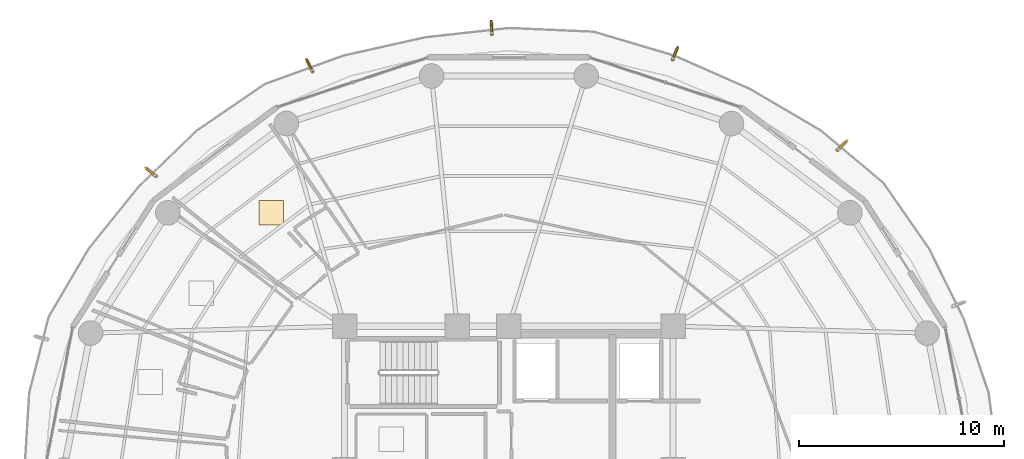
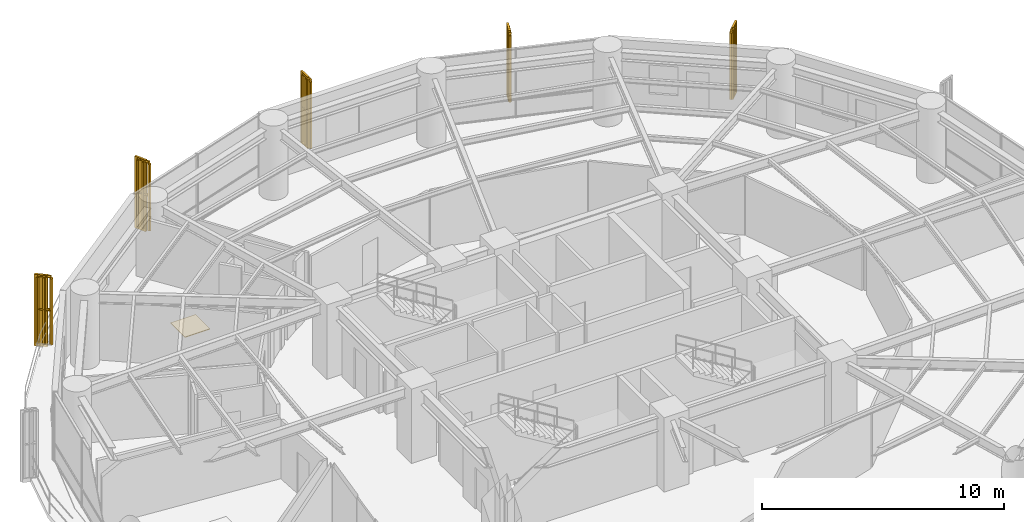
# One storey, part 28 of 28: 5 railings, 5 shading devices, 1 covering.
"""IFC4 building model written with IfcOpenShell, lengths in metres."""

from ifc_helpers import new_model, si_unit, direction, frame, origin, origin_2d, place, context, subcontext, project, spatial, polyline, rectangle, outline, extrude, source, transform, mapped, material, layer, layer_set, type_object, element, save


model = new_model("IFC4")

# Units and contexts
model_context = context("Model", 3, precision=1e-05, world=origin(), true_north=direction((0.0, 1.0)))
body_context = subcontext(model_context, "Body", "Model", "MODEL_VIEW")
ifc_project = project(units=[si_unit("LENGTHUNIT", "METRE"), si_unit("AREAUNIT", "SQUARE_METRE"), si_unit("VOLUMEUNIT", "CUBIC_METRE"), si_unit("PLANEANGLEUNIT", "RADIAN"), si_unit("MASSUNIT", "GRAM", prefix="KILO")], contexts=[model_context])

# Site, building, storey
site_placement = place(None, origin())
site = spatial("IfcSite", under=ifc_project, at=site_placement, CompositionType="ELEMENT")
building_placement = place(site_placement, origin())
building = spatial("IfcBuilding", under=site, at=building_placement, Name="Kelanora Arch Commons", CompositionType="ELEMENT")
storey_placement = place(building_placement, frame((0.0, 0.0, 161.85009765625)))
storey = spatial("IfcBuildingStorey", under=building, at=storey_placement, Name="L41", CompositionType="ELEMENT", Elevation=161.85009765625)

# Railings
ifc_material_1 = material(Name="Anodised bronze vertical shading fin rib assembly")
railing_type = type_object("IfcRailingType", Name="RAIL-FIN-BRZ", PredefinedType="BALUSTRADE", material=ifc_material_1)
railing_1_placement = place(storey_placement, frame((89.99560546875, 73.573974609375, -0.02001953125)))
element("IfcRailing", 1, at=railing_1_placement, inside=storey, type_object=railing_type, Name="Sweeping Bronze Vertical Fin Blade L41-02", PredefinedType="BALUSTRADE", context=body_context, shape_type="SweptSolid", body=[
    extrude(outline(polyline([(0.06982421875, 0.0), (0.034912109375, 0.060546875), (-0.034912109375, 0.060546875), (-0.06982421875, 0.0), (-0.034912109375, -0.060546875), (0.034912109375, -0.060546875), (0.06982421875, 0.0)])), frame((0.0, 0.0, 3.419921875), z_axis=(0.716179429515, 0.697916201804, 0.0), x_axis=(-0.697916201804, 0.716179429515, 0.0)), (0.0, 0.0, 1.0), 0.5615234375),
    extrude(outline(polyline([(0.06982421875, 0.0), (0.034912109375, 0.060546875), (-0.034912109375, 0.060546875), (-0.06982421875, 0.0), (-0.034912109375, -0.060546875), (0.034912109375, -0.060546875), (0.06982421875, 0.0)])), frame((0.0, 0.0, 1.7451171875), z_axis=(0.716179429515, 0.697916201804, 0.0), x_axis=(-0.697916201804, 0.716179429515, 0.0)), (0.0, 0.0, 1.0), 0.5615234375),
    extrude(outline(polyline([(0.080078125, 0.0), (0.0400390625, 0.0693359375), (-0.0400390625, 0.0693359375), (-0.080078125, 0.0), (-0.0400390625, -0.0693359375), (0.0400390625, -0.0693359375), (0.080078125, 0.0)])), origin(), (0.0, 0.0, 1.0), 3.35009765625),
    extrude(outline(polyline([(0.080078125, 0.0), (0.0400390625, 0.0693359375), (-0.0400390625, 0.0693359375), (-0.080078125, 0.0), (-0.0400390625, -0.0693359375), (0.0400390625, -0.0693359375), (0.080078125, 0.0)])), frame((0.201171875, 0.19580078125, 0.0)), (0.0, 0.0, 1.0), 3.35009765625),
    extrude(outline(polyline([(0.080078125, 0.0), (0.0400390625, 0.0693359375), (-0.0400390625, 0.0693359375), (-0.080078125, 0.0), (-0.0400390625, -0.0693359375), (0.0400390625, -0.0693359375), (0.080078125, 0.0)])), frame((0.402099609375, 0.391845703125, 0.0)), (0.0, 0.0, 1.0), 3.35009765625),
])
railing_2_placement = place(storey_placement, frame((81.974853515625, 77.97412109375, -0.02001953125)))
element("IfcRailing", 2, at=railing_2_placement, inside=storey, type_object=railing_type, Name="Sweeping Bronze Vertical Fin Blade L41-03", PredefinedType="BALUSTRADE", context=body_context, shape_type="SweptSolid", body=[
    extrude(outline(polyline([(0.06982421875, 0.0), (0.034912109375, 0.060546875), (-0.034912109375, 0.060546875), (-0.06982421875, 0.0), (-0.034912109375, -0.060546875), (0.034912109375, -0.060546875), (0.06982421875, 0.0)])), frame((0.0, 0.0, 3.419921875), z_axis=(0.37086588462, 0.928686435577, 0.0), x_axis=(-0.928686435577, 0.37086588462, 0.0)), (0.0, 0.0, 1.0), 0.5615234375),
    extrude(outline(polyline([(0.06982421875, 0.0), (0.034912109375, 0.060546875), (-0.034912109375, 0.060546875), (-0.06982421875, 0.0), (-0.034912109375, -0.060546875), (0.034912109375, -0.060546875), (0.06982421875, 0.0)])), frame((0.0, 0.0, 1.7451171875), z_axis=(0.37086588462, 0.928686435577, 0.0), x_axis=(-0.928686435577, 0.37086588462, 0.0)), (0.0, 0.0, 1.0), 0.5615234375),
    extrude(outline(polyline([(0.080078125, 0.0), (0.0400390625, 0.0693359375), (-0.0400390625, 0.0693359375), (-0.080078125, 0.0), (-0.0400390625, -0.0693359375), (0.0400390625, -0.0693359375), (0.080078125, 0.0)])), origin(), (0.0, 0.0, 1.0), 3.35009765625),
    extrude(outline(polyline([(0.080078125, 0.0), (0.0400390625, 0.0693359375), (-0.0400390625, 0.0693359375), (-0.080078125, 0.0), (-0.0400390625, -0.0693359375), (0.0400390625, -0.0693359375), (0.080078125, 0.0)])), frame((0.10400390625, 0.2607421875, 0.0)), (0.0, 0.0, 1.0), 3.35009765625),
    extrude(outline(polyline([(0.080078125, 0.0), (0.0400390625, 0.0693359375), (-0.0400390625, 0.0693359375), (-0.080078125, 0.0), (-0.0400390625, -0.0693359375), (0.0400390625, -0.0693359375), (0.080078125, 0.0)])), frame((0.208251953125, 0.521484375, 0.0)), (0.0, 0.0, 1.0), 3.35009765625),
])
railing_3_placement = place(storey_placement, frame((73.172119140625, 79.20947265625, -0.02001953125)))
element("IfcRailing", 3, at=railing_3_placement, inside=storey, type_object=railing_type, Name="Sweeping Bronze Vertical Fin Blade L41-04", PredefinedType="BALUSTRADE", context=body_context, shape_type="SweptSolid", body=[
    extrude(outline(polyline([(0.06982421875, 0.0), (0.034912109375, 0.060546875), (-0.034912109375, 0.060546875), (-0.06982421875, 0.0), (-0.034912109375, -0.060546875), (0.034912109375, -0.060546875), (0.06982421875, 0.0)])), frame((0.0, 0.0, 3.419921875), z_axis=(-0.038700316245, 0.999250862157, 0.0), x_axis=(-0.999250862157, -0.038700316245, 0.0)), (0.0, 0.0, 1.0), 0.5615234375),
    extrude(outline(polyline([(0.06982421875, 0.0), (0.034912109375, 0.060546875), (-0.034912109375, 0.060546875), (-0.06982421875, 0.0), (-0.034912109375, -0.060546875), (0.034912109375, -0.060546875), (0.06982421875, 0.0)])), frame((0.0, 0.0, 1.7451171875), z_axis=(-0.038700316245, 0.999250862157, 0.0), x_axis=(-0.999250862157, -0.038700316245, 0.0)), (0.0, 0.0, 1.0), 0.5615234375),
    extrude(outline(polyline([(0.080078125, 0.0), (0.0400390625, 0.0693359375), (-0.0400390625, 0.0693359375), (-0.080078125, 0.0), (-0.0400390625, -0.0693359375), (0.0400390625, -0.0693359375), (0.080078125, 0.0)])), origin(), (0.0, 0.0, 1.0), 3.35009765625),
    extrude(outline(polyline([(0.080078125, 0.0), (0.0400390625, 0.0693359375), (-0.0400390625, 0.0693359375), (-0.080078125, 0.0), (-0.0400390625, -0.0693359375), (0.0400390625, -0.0693359375), (0.080078125, 0.0)])), frame((-0.0107421875, 0.280517578125, 0.0)), (0.0, 0.0, 1.0), 3.35009765625),
    extrude(outline(polyline([(0.080078125, 0.0), (0.0400390625, 0.0693359375), (-0.0400390625, 0.0693359375), (-0.080078125, 0.0), (-0.0400390625, -0.0693359375), (0.0400390625, -0.0693359375), (0.080078125, 0.0)])), frame((-0.021728515625, 0.56103515625, 0.0)), (0.0, 0.0, 1.0), 3.35009765625),
])
railing_4_placement = place(storey_placement, frame((64.438720703125, 77.4013671875, -0.02001953125)))
element("IfcRailing", 4, at=railing_4_placement, inside=storey, type_object=railing_type, Name="Sweeping Bronze Vertical Fin Blade L41-05", PredefinedType="BALUSTRADE", context=body_context, shape_type="SweptSolid", body=[
    extrude(outline(polyline([(0.06982421875, 0.0), (0.034912109375, 0.060546875), (-0.034912109375, 0.060546875), (-0.06982421875, 0.0), (-0.034912109375, -0.060546875), (0.034912109375, -0.060546875), (0.06982421875, 0.0)])), frame((0.0, 0.0, 3.419921875), z_axis=(-0.442335616686, 0.896849598434, 0.0), x_axis=(-0.896849598434, -0.442335616686, 0.0)), (0.0, 0.0, 1.0), 0.561279296875),
    extrude(outline(polyline([(0.06982421875, 0.0), (0.034912109375, 0.060546875), (-0.034912109375, 0.060546875), (-0.06982421875, 0.0), (-0.034912109375, -0.060546875), (0.034912109375, -0.060546875), (0.06982421875, 0.0)])), frame((0.0, 0.0, 1.7451171875), z_axis=(-0.442335616686, 0.896849598434, 0.0), x_axis=(-0.896849598434, -0.442335616686, 0.0)), (0.0, 0.0, 1.0), 0.561279296875),
    extrude(outline(polyline([(0.080078125, 0.0), (0.0400390625, 0.0693359375), (-0.0400390625, 0.0693359375), (-0.080078125, 0.0), (-0.0400390625, -0.0693359375), (0.0400390625, -0.0693359375), (0.080078125, 0.0)])), origin(), (0.0, 0.0, 1.0), 3.35009765625),
    extrude(outline(polyline([(0.080078125, 0.0), (0.0400390625, 0.0693359375), (-0.0400390625, 0.0693359375), (-0.080078125, 0.0), (-0.0400390625, -0.0693359375), (0.0400390625, -0.0693359375), (0.080078125, 0.0)])), frame((-0.1240234375, 0.251708984375, 0.0)), (0.0, 0.0, 1.0), 3.35009765625),
    extrude(outline(polyline([(0.080078125, 0.0), (0.0400390625, 0.0693359375), (-0.0400390625, 0.0693359375), (-0.080078125, 0.0), (-0.0400390625, -0.0693359375), (0.0400390625, -0.0693359375), (0.080078125, 0.0)])), frame((-0.248291015625, 0.50341796875, 0.0)), (0.0, 0.0, 1.0), 3.35009765625),
])
railing_5_placement = place(storey_placement, frame((56.8115234375, 72.302978515625, -0.02001953125)))
element("IfcRailing", 5, at=railing_5_placement, inside=storey, type_object=railing_type, Name="Sweeping Bronze Vertical Fin Blade L41-06", PredefinedType="BALUSTRADE", context=body_context, shape_type="SweptSolid", body=[
    extrude(outline(polyline([(0.06982421875, 0.0), (0.034912109375, 0.060546875), (-0.034912109375, 0.060546875), (-0.06982421875, 0.0), (-0.034912109375, -0.060546875), (0.034912109375, -0.060546875), (0.06982421875, 0.0)])), frame((0.0, 0.0, 3.419921875), z_axis=(-0.768719992937, 0.639585469237, 0.0), x_axis=(-0.639585469237, -0.768719992937, 0.0)), (0.0, 0.0, 1.0), 0.5615234375),
    extrude(outline(polyline([(0.06982421875, 0.0), (0.034912109375, 0.060546875), (-0.034912109375, 0.060546875), (-0.06982421875, 0.0), (-0.034912109375, -0.060546875), (0.034912109375, -0.060546875), (0.06982421875, 0.0)])), frame((0.0, 0.0, 1.7451171875), z_axis=(-0.768719992937, 0.639585469237, 0.0), x_axis=(-0.639585469237, -0.768719992937, 0.0)), (0.0, 0.0, 1.0), 0.5615234375),
    extrude(outline(polyline([(0.080078125, 0.0), (0.0400390625, 0.0693359375), (-0.0400390625, 0.0693359375), (-0.080078125, 0.0), (-0.0400390625, -0.0693359375), (0.0400390625, -0.0693359375), (0.080078125, 0.0)])), origin(), (0.0, 0.0, 1.0), 3.35009765625),
    extrude(outline(polyline([(0.080078125, 0.0), (0.0400390625, 0.0693359375), (-0.0400390625, 0.0693359375), (-0.080078125, 0.0), (-0.0400390625, -0.0693359375), (0.0400390625, -0.0693359375), (0.080078125, 0.0)])), frame((-0.2158203125, 0.1796875, 0.0)), (0.0, 0.0, 1.0), 3.35009765625),
    extrude(outline(polyline([(0.080078125, 0.0), (0.0400390625, 0.0693359375), (-0.0400390625, 0.0693359375), (-0.080078125, 0.0), (-0.0400390625, -0.0693359375), (0.0400390625, -0.0693359375), (0.080078125, 0.0)])), frame((-0.431640625, 0.359130859375, 0.0)), (0.0, 0.0, 1.0), 3.35009765625),
])

# Shading devices
ifc_material_2 = material(Name="Terracotta ceramic-clad extruded aluminium fin", Category="masonry")
shading_device_type = type_object("IfcShadingDeviceType", Name="SHD-FIN-WAIST", PredefinedType="USERDEFINED", material=ifc_material_2)
shared_shape_1 = source(origin(), body_context, "Body", "SweptSolid", [
    extrude(rectangle(XDim=0.56005859375, YDim=0.090087890625, at=origin_2d()), origin(), (0.0, 0.0, 1.0), 3.610107421875),
])
for number, where, z_axis, x_axis, name in (
    (6, (90.297119140625, 73.867431640625, -0.14013671875), (0.0, 0.0, 1.0), (0.7165454746, 0.697540380788, 0.0), "Sweeping Terracotta Fin L41-02"),
    (7, (82.130859375, 78.36474609375, -0.14013671875), (0.0, 0.0, 1.0), (0.370881630624, 0.928680147341, 0.0), "Sweeping Terracotta Fin L41-03"),
    (8, (73.15576171875, 79.6298828125, -0.14013671875), (0.0, 0.0, 1.0), (-0.038911016641, 0.999242679625, 0.0), "Sweeping Terracotta Fin L41-04"),
    (9, (64.252685546875, 77.778564453125, -0.14013671875), (0.0, 0.0, 1.0), (-0.441975595633, 0.897027074767, 0.0), "Sweeping Terracotta Fin L41-05"),
    (10, (56.488037109375, 72.572265625, -0.14013671875), (0.0, 0.0, 1.0), (-0.768730217204, 0.639573180455, 0.0), "Sweeping Terracotta Fin L41-06"),
):
    element("IfcShadingDevice", number, at=place(storey_placement, frame(where, z_axis=z_axis, x_axis=x_axis)), inside=storey, type_object=shading_device_type, Name=name, ObjectType="FIN", PredefinedType="USERDEFINED", context=body_context, shape_type="MappedRepresentation", body=[
        mapped(shared_shape_1, transform((0.0, 0.0, 0.0), scale=1.0)),
    ])

# Covering
ifc_material_3 = material(Name="Polished local granite terrazzo flooring", Category="masonry")
ifc_layer = layer(ifc_material_3, 0.030029296875)
ifc_layer_set = layer_set([ifc_layer], Name="Polished local granite terrazzo flooring")
covering_type = type_object("IfcCoveringType", Name="COV-FLR-TER", PredefinedType="FLOORING", material=ifc_layer_set)
shared_shape_2 = source(origin(), body_context, "Body", "SweptSolid", [
    extrude(rectangle(XDim=1.199951171875, YDim=1.199951171875, at=origin_2d()), origin(), (0.0, 0.0, 1.0), 0.030029296875),
])
covering_placement = place(storey_placement, frame((62.422607421875, 70.52978515625, 0.0), z_axis=(0.0, 0.0, 1.0), x_axis=(1.0, 0.0, 0.0)))
element("IfcCovering", 11, at=covering_placement, inside=storey, type_object=covering_type, Name="Cluster Bedroom L41-01 Terrazzo Finish", PredefinedType="FLOORING", context=body_context, shape_type="MappedRepresentation", body=[
    mapped(shared_shape_2, transform((0.0, 0.0, 0.0), scale=1.0)),
])

save(model, "model.ifc")
